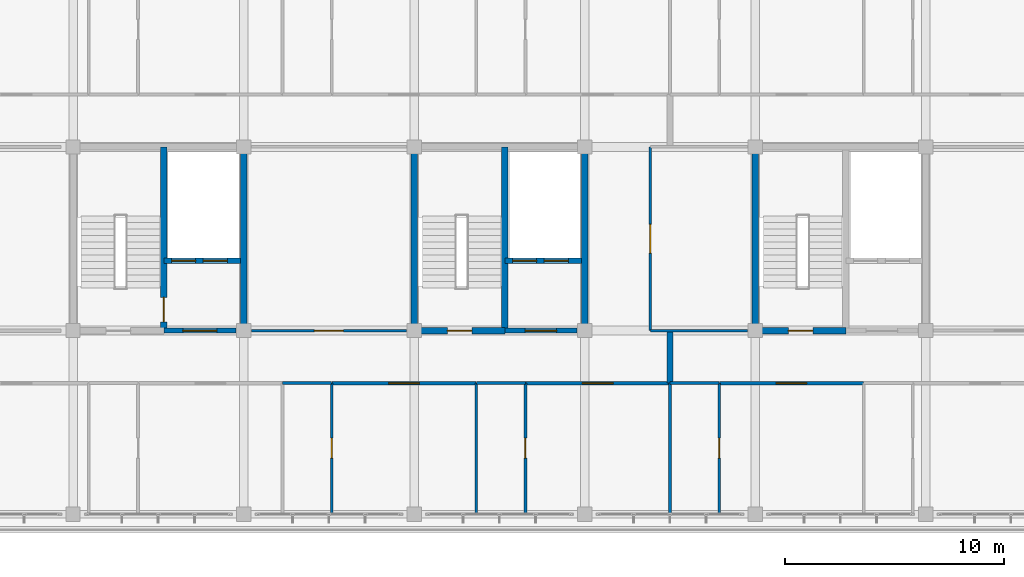
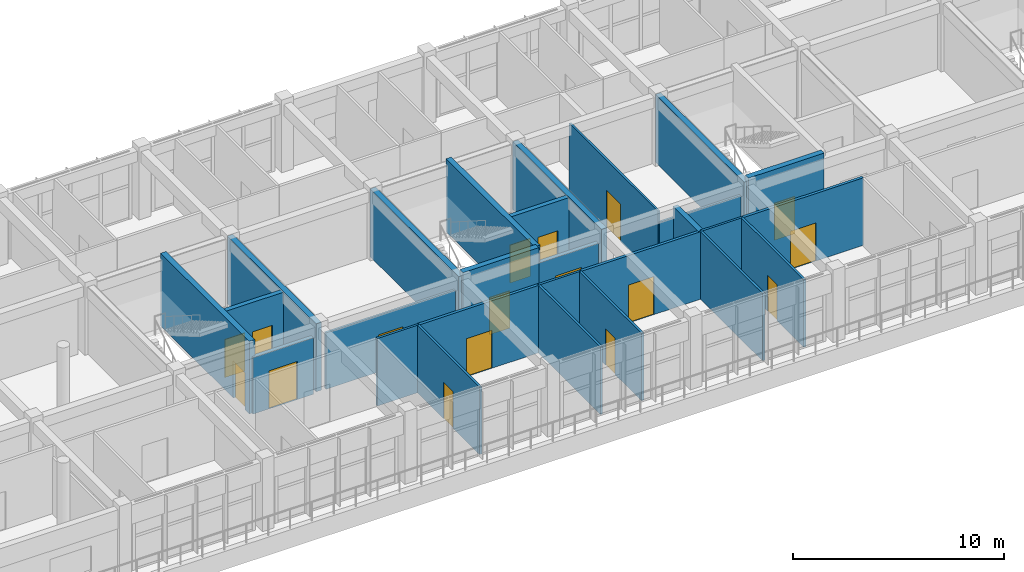
# One storey, part 48 of 57: 27 walls, 17 doors, 17 openings.
"""IFC4 building model written with IfcOpenShell, lengths in metres."""

import ifcopenshell
import ifcopenshell.guid

model = None  # the IFC model being written
_history = None  # IfcOwnerHistory: only IFC2X3 demands one
_inside = {}  # id of a spatial element -> (the spatial element, [elements in it])
_under = {}  # id of a project, library or spatial element -> (it, [spatial elements below it])
_declared = {}  # id of a project -> (the project, [libraries it declares])
_typed = {}  # id of a type object -> (the type object, [elements of that type])
_made_of = {}  # id of a material, layer set ... -> (it, [elements and type objects made of it])


def new_model(schema):
    """Start an empty IFC model of exactly this schema.

    Asked for "IFC4X3", IfcOpenShell would pick the latest addendum, in which some entities
    have other attributes; the version numbers below select the first issue.
    IFC2X3 requires an IfcOwnerHistory on every rooted entity: one is made here for all.
    """
    global model, _history
    if schema == "IFC4X3":
        model = ifcopenshell.file(schema_version=(4, 3, 0, 0))
    else:
        model = ifcopenshell.file(schema=schema)
    _inside.clear()
    _under.clear()
    _declared.clear()
    _typed.clear()
    _made_of.clear()
    _history = None
    if model.schema == "IFC2X3":
        org = make("IfcOrganization", Name="unknown")
        user = make(
            "IfcPersonAndOrganization",
            ThePerson=make("IfcPerson", FamilyName="unknown"),
            TheOrganization=org,
        )
        app = make(
            "IfcApplication",
            ApplicationDeveloper=org,
            Version="unknown",
            ApplicationFullName="unknown",
            ApplicationIdentifier="unknown",
        )
        _history = make(
            "IfcOwnerHistory",
            OwningUser=user,
            OwningApplication=app,
            ChangeAction="ADDED",
            CreationDate=0,
        )
    return model


def make(cls, **values):
    """One entity of the class cls with the attributes given. An attribute that is None is left unset."""
    return model.create_entity(
        cls, **{name: value for name, value in values.items() if value is not None}
    )


def rooted(cls, **values):
    """An entity with a GlobalId (a new one), such as an element, a storey or a relation."""
    return make(cls, GlobalId=ifcopenshell.guid.new(), OwnerHistory=_history, **values)


def si_unit(unit_type, name, prefix=None):
    """IfcSIUnit, for example si_unit("LENGTHUNIT", "METRE", prefix="MILLI")."""
    return make("IfcSIUnit", UnitType=unit_type, Prefix=prefix, Name=name)


def assignment(units):
    """IfcUnitAssignment: the units of a project."""
    return None if units is None else make("IfcUnitAssignment", Units=units)


def point(xyz):
    """IfcCartesianPoint."""
    return None if xyz is None else make("IfcCartesianPoint", Coordinates=xyz)


def direction(xyz):
    """IfcDirection."""
    return None if xyz is None else make("IfcDirection", DirectionRatios=xyz)


def frame(location, z_axis=None, x_axis=None):
    """IfcAxis2Placement3D, a coordinate frame: its origin and axes. An axis left out is left unset."""
    return make(
        "IfcAxis2Placement3D",
        Location=point(location),
        Axis=direction(z_axis),
        RefDirection=direction(x_axis),
    )


def frame_2d(location, x_axis=None):
    """IfcAxis2Placement2D, a coordinate frame in the plane: its origin and x axis."""
    return make(
        "IfcAxis2Placement2D", Location=point(location), RefDirection=direction(x_axis)
    )


def origin():
    """The frame at (0, 0, 0) with its axes left unset."""
    return frame((0.0, 0.0, 0.0))


def place(relative_to, where):
    """IfcLocalPlacement: puts the frame where relative to a parent placement (None: the world)."""
    return make(
        "IfcLocalPlacement", PlacementRelTo=relative_to, RelativePlacement=where
    )


def context(
    kind, dimensions, precision=None, world=None, true_north=None, identifier=None
):
    """IfcGeometricRepresentationContext, for example the 3D "Model" context."""
    return make(
        "IfcGeometricRepresentationContext",
        ContextIdentifier=identifier,
        ContextType=kind,
        CoordinateSpaceDimension=dimensions,
        Precision=precision,
        WorldCoordinateSystem=world,
        TrueNorth=true_north,
    )


def subcontext(parent, identifier, kind, view, scale=None):
    """IfcGeometricRepresentationSubContext, for example "Body" below "Model"."""
    return make(
        "IfcGeometricRepresentationSubContext",
        ContextIdentifier=identifier,
        ContextType=kind,
        ParentContext=parent,
        TargetScale=scale,
        TargetView=view,
    )


def project(units=None, contexts=None):
    """IfcProject with its units and contexts."""
    return rooted(
        "IfcProject",
        Name="project",
        RepresentationContexts=contexts,
        UnitsInContext=assignment(units),
    )


def spatial(cls, under=None, at=None, **own):
    """A site, building, storey or space (cls), placed at a placement, below another one or the project."""
    s = rooted(cls, ObjectPlacement=at, **own)
    if under is not None:
        _under.setdefault(under.id(), (under, []))[1].append(s)
    return s


def profile(cls, at=None, kind="AREA", **sizes):
    """A parametric profile (cls). Its sizes go by their IFC names, for example OverallWidth=200.0."""
    return make(cls, ProfileType=kind, Position=at, **sizes)


def rectangle(**sizes):
    """IfcRectangleProfileDef."""
    return profile("IfcRectangleProfileDef", **sizes)


def extrude(swept, where, along, depth):
    """IfcExtrudedAreaSolid: the profile swept, set in the frame where, extruded along a direction by depth."""
    return make(
        "IfcExtrudedAreaSolid",
        SweptArea=swept,
        Position=where,
        ExtrudedDirection=direction(along),
        Depth=depth,
    )


def shape(context_of_items, identifier, shape_type, items):
    """IfcShapeRepresentation: the items that make up one representation, for example the "Body"."""
    return make(
        "IfcShapeRepresentation",
        ContextOfItems=context_of_items,
        RepresentationIdentifier=identifier,
        RepresentationType=shape_type,
        Items=items,
    )


def material(Name=None, Category=None):
    """IfcMaterial."""
    return make("IfcMaterial", Name=Name, Category=Category)


def layer(
    of_material, thickness, ventilated=None, Name=None, Category=None, Priority=None
):
    """IfcMaterialLayer: one layer of a wall or slab, of a material (None: an air gap)."""
    return make(
        "IfcMaterialLayer",
        Material=of_material,
        LayerThickness=thickness,
        IsVentilated=ventilated,
        Name=Name,
        Category=Category,
        Priority=Priority,
    )


def layer_set(layers, Name=None):
    """IfcMaterialLayerSet."""
    return make("IfcMaterialLayerSet", MaterialLayers=layers, LayerSetName=Name)


def made_of(thing, what):
    """Note that an element or type object is made of a material, layer set ...; save() writes the relation."""
    if what is not None:
        _made_of.setdefault(what.id(), (what, []))[1].append(thing)
    return thing


def type_object(cls, material=None, **own):
    """A type object (cls), such as IfcWallType, which elements share."""
    return made_of(rooted(cls, **own), material)


def element(
    cls,
    number,
    at=None,
    inside=None,
    cuts=None,
    type_object=None,
    material=None,
    context=None,
    identifier="Body",
    shape_type=None,
    held_by="IfcProductDefinitionShape",
    body=None,
    shapes=None,
    **own,
):
    """One element of the class cls, such as IfcWall. Its Tag is "e" and its number.

    at: its placement. inside: the storey or other place that contains it. cuts: it is an
    opening in that element (IfcRelVoidsElement). A single representation is given by context,
    identifier, shape_type and body (its items); several are given by shapes. held_by: the class
    of the entity that holds the representations. save() writes the other relations.
    """
    e = rooted(cls, Tag="e%d" % number, ObjectPlacement=at, **own)
    if body is not None:
        shapes = [shape(context, identifier, shape_type, body)]
    if shapes is not None:
        e.Representation = make(held_by, Representations=shapes)
    if inside is not None:
        _inside.setdefault(inside.id(), (inside, []))[1].append(e)
    if cuts is not None:
        rooted(
            "IfcRelVoidsElement", RelatingBuildingElement=cuts, RelatedOpeningElement=e
        )
    if type_object is not None:
        _typed.setdefault(type_object.id(), (type_object, []))[1].append(e)
    return made_of(e, material)


def fill(opening, filler):
    """IfcRelFillsElement: the door or window that sits in an opening."""
    return rooted(
        "IfcRelFillsElement",
        RelatingOpeningElement=opening,
        RelatedBuildingElement=filler,
    )


def aggregate(whole, parts):
    """IfcRelAggregates: a whole, such as a stair, and the parts it consists of."""
    return rooted("IfcRelAggregates", RelatingObject=whole, RelatedObjects=parts)


def save(model, path):
    """Write the relations noted so far, then the file.

    IfcRelAggregates (storeys below a building ...), IfcRelContainedInSpatialStructure (elements
    in a storey), IfcRelDefinesByType, IfcRelAssociatesMaterial and IfcRelDeclares: one each for
    every whole, place, type object, material and project.
    """
    for whole, parts in _under.values():
        aggregate(whole, parts)
    for where, things in _inside.values():
        rooted(
            "IfcRelContainedInSpatialStructure",
            RelatedElements=things,
            RelatingStructure=where,
        )
    for kind, things in _typed.values():
        rooted("IfcRelDefinesByType", RelatedObjects=things, RelatingType=kind)
    for what, things in _made_of.values():
        rooted("IfcRelAssociatesMaterial", RelatedObjects=things, RelatingMaterial=what)
    for by, libraries in _declared.values():
        rooted("IfcRelDeclares", RelatingContext=by, RelatedDefinitions=libraries)
    model.write(path)


model = new_model("IFC4")

# Units and contexts
model_context = context("Model", 3, precision=1e-05, world=origin(), true_north=direction((0.0, 1.0)))
body_context = subcontext(model_context, "Body", "Model", "MODEL_VIEW")
ifc_project = project(units=[si_unit("LENGTHUNIT", "METRE"), si_unit("AREAUNIT", "SQUARE_METRE"), si_unit("VOLUMEUNIT", "CUBIC_METRE"), si_unit("PLANEANGLEUNIT", "RADIAN"), si_unit("MASSUNIT", "GRAM", prefix="KILO")], contexts=[model_context])

# Site, building, storey
site_placement = place(None, origin())
site = spatial("IfcSite", under=ifc_project, at=site_placement, CompositionType="ELEMENT")
building_placement = place(site_placement, origin())
building = spatial("IfcBuilding", under=site, at=building_placement, Name="Zizhar Promenade General Hospital", CompositionType="ELEMENT")
storey_placement = place(building_placement, frame((0.0, 0.0, 22.199951171875)))
storey = spatial("IfcBuildingStorey", under=building, at=storey_placement, Name="L05", CompositionType="ELEMENT", Elevation=22.199951171875)

# Wall
ifc_material_1 = material(Name="Concrete C35/45", Category="concrete")
ifc_layer_1 = layer(ifc_material_1, 0.284912109375)
ifc_layer_set_1 = layer_set([ifc_layer_1], Name="Concrete C35/45")
wall_type_1 = type_object("IfcWallType", Name="IW-COMP-285", PredefinedType="STANDARD", material=ifc_layer_set_1)
wall_1_placement = place(storey_placement, frame((74.10009765625, 6.0, 0.0), z_axis=(0.0, 0.0, 1.0), x_axis=(0.0, 1.0, 0.0)))
element("IfcWall", 1, at=wall_1_placement, inside=storey, type_object=wall_type_1, Name="Horizontal Fire Compartment Wall South (L05)", PredefinedType="STANDARD", context=body_context, shape_type="SweptSolid", body=[
    extrude(rectangle(XDim=2.39990234375, YDim=0.284912109375, at=frame_2d((1.199951171875, 0.0))), origin(), (0.0, 0.0, 1.0), 3.900146484375),
])

# Wall, opening, door
ifc_material_2 = material(Name="Concrete C35/45", Category="concrete")
ifc_layer_2 = layer(ifc_material_2, 0.215087890625)
ifc_layer_set_2 = layer_set([ifc_layer_2], Name="Concrete C35/45")
wall_type_2 = type_object("IfcWallType", Name="IW-LOBBY-215", PredefinedType="STANDARD", material=ifc_layer_set_2)
wall_2_placement = place(storey_placement, frame((50.949951171875, 8.39990234375, 0.0), z_axis=(0.0, 0.0, 1.0), x_axis=(1.0, 0.0, 0.0)))
wall_2 = element("IfcWall", 2, at=wall_2_placement, inside=storey, type_object=wall_type_2, Name="Core C2 Lift Lobby South Fire Wall (L05)", PredefinedType="STANDARD", context=body_context, shape_type="SweptSolid", body=[
    extrude(rectangle(XDim=3.2900390625, YDim=0.215087890625, at=frame_2d((1.64501953125, 0.0))), origin(), (0.0, 0.0, 1.0), 3.27001953125),
])
opening_1_placement = place(wall_2_placement, frame((0.864990234375, 0.0, 0.0)))
opening_1 = element("IfcOpeningElement", 3, at=opening_1_placement, cuts=wall_2, Name="Opening D-22", PredefinedType="OPENING", context=body_context, shape_type="SweptSolid", body=[
    extrude(rectangle(XDim=1.56005859375, YDim=2.199951171875, at=frame_2d((0.780029296875, 1.10009765625))), frame((0.0, 0.11767578125, 0.0), z_axis=(0.0, -1.0, 0.0), x_axis=(1.0, 0.0, 0.0)), (0.0, 0.0, 1.0), 0.235107421875),
])
ifc_material_3 = material(Name="Steel S355 firefighting lobby pair", Category="steel")
door_type_1 = type_object("IfcDoorType", Name="DR-LOBBY-FF-156x220", OperationType="DOUBLE_DOOR_SINGLE_SWING", PredefinedType="DOOR", material=ifc_material_3)
door_1_placement = place(opening_1_placement, origin())
door_1 = element("IfcDoor", 4, at=door_1_placement, inside=storey, type_object=door_type_1, Name="Core C2 Firefighting Lift Lobby Door (L05)", OperationType="DOUBLE_DOOR_SINGLE_SWING", OverallHeight=2.199951171875, OverallWidth=1.56005859375, PredefinedType="DOOR", context=body_context, shape_type="SweptSolid", body=[
    extrude(rectangle(XDim=1.56005859375, YDim=2.199951171875, at=frame_2d((0.780029296875, 1.10009765625))), frame((0.0, 0.02490234375, 0.0), z_axis=(0.0, -1.0, 0.0), x_axis=(1.0, 0.0, 0.0)), (0.0, 0.0, 1.0), 0.050048828125),
])
fill(opening_1, door_1)

wall_3_placement = place(storey_placement, frame((66.550048828125, 8.39990234375, 0.0), z_axis=(0.0, 0.0, 1.0), x_axis=(1.0, 0.0, 0.0)))
wall_3 = element("IfcWall", 5, at=wall_3_placement, inside=storey, type_object=wall_type_2, Name="Core C3 Lift Lobby South Fire Wall (L05)", PredefinedType="STANDARD", context=body_context, shape_type="SweptSolid", body=[
    extrude(rectangle(XDim=3.2900390625, YDim=0.215087890625, at=frame_2d((1.64501953125, 0.0))), origin(), (0.0, 0.0, 1.0), 3.27001953125),
])
opening_2_placement = place(wall_3_placement, frame((0.925048828125, 0.0, 0.0)))
opening_2 = element("IfcOpeningElement", 6, at=opening_2_placement, cuts=wall_3, Name="Opening D-23", PredefinedType="OPENING", context=body_context, shape_type="SweptSolid", body=[
    extrude(rectangle(XDim=1.43994140625, YDim=2.199951171875, at=frame_2d((0.719970703125, 1.10009765625))), frame((0.0, 0.11767578125, 0.0), z_axis=(0.0, -1.0, 0.0), x_axis=(1.0, 0.0, 0.0)), (0.0, 0.0, 1.0), 0.235107421875),
])
ifc_material_4 = material(Name="Fire-rated timber lift lobby pair", Category="wood")
door_type_2 = type_object("IfcDoorType", Name="DR-LOBBY-PR-144x220", OperationType="DOUBLE_DOOR_SINGLE_SWING", PredefinedType="DOOR", material=ifc_material_4)
door_2_placement = place(opening_2_placement, origin())
door_2 = element("IfcDoor", 7, at=door_2_placement, inside=storey, type_object=door_type_2, Name="Core C3 Protected Lift Lobby Door (L05)", OperationType="DOUBLE_DOOR_SINGLE_SWING", OverallHeight=2.199951171875, OverallWidth=1.43994140625, PredefinedType="DOOR", context=body_context, shape_type="SweptSolid", body=[
    extrude(rectangle(XDim=1.43994140625, YDim=2.199951171875, at=frame_2d((0.719970703125, 1.10009765625))), frame((0.0, 0.02490234375, 0.0), z_axis=(0.0, -1.0, 0.0), x_axis=(1.0, 0.0, 0.0)), (0.0, 0.0, 1.0), 0.050048828125),
])
fill(opening_2, door_2)

# Wall, openings, doors
ifc_material_5 = material(Name="Concrete C35/45", Category="concrete")
ifc_layer_3 = layer(ifc_material_5, 0.25)
ifc_layer_set_3 = layer_set([ifc_layer_3], Name="Concrete C35/45")
wall_type_3 = type_object("IfcWallType", Name="IW-SHAFT-250", PredefinedType="STANDARD", material=ifc_layer_set_3)
wall_4_placement = place(storey_placement, frame((50.949951171875, 11.60009765625, 0.0), z_axis=(0.0, 0.0, 1.0), x_axis=(1.0, 0.0, 0.0)))
wall_4 = element("IfcWall", 8, at=wall_4_placement, inside=storey, type_object=wall_type_3, Name="Core C2 Lift Shaft Landing Wall (L05)", PredefinedType="STANDARD", context=body_context, shape_type="SweptSolid", body=[
    extrude(rectangle(XDim=3.5, YDim=0.25, at=frame_2d((1.75, 0.0))), origin(), (0.0, 0.0, 1.0), 3.900146484375),
])
opening_3_placement = place(wall_4_placement, frame((0.35009765625, 0.0, 0.0)))
opening_3 = element("IfcOpeningElement", 9, at=opening_3_placement, cuts=wall_4, Name="Opening LD-11", PredefinedType="OPENING", context=body_context, shape_type="SweptSolid", body=[
    extrude(rectangle(XDim=1.10009765625, YDim=2.199951171875, at=frame_2d((0.550048828125, 1.10009765625))), frame((0.0, 0.135009765625, 0.0), z_axis=(0.0, -1.0, 0.0), x_axis=(1.0, 0.0, 0.0)), (0.0, 0.0, 1.0), 0.27001953125),
])
opening_4_placement = place(wall_4_placement, frame((1.800048828125, 0.0, 0.0)))
opening_4 = element("IfcOpeningElement", 10, at=opening_4_placement, cuts=wall_4, Name="Opening LD-11", PredefinedType="OPENING", context=body_context, shape_type="SweptSolid", body=[
    extrude(rectangle(XDim=1.10009765625, YDim=2.199951171875, at=frame_2d((0.550048828125, 1.10009765625))), frame((0.0, 0.135009765625, 0.0), z_axis=(0.0, -1.0, 0.0), x_axis=(1.0, 0.0, 0.0)), (0.0, 0.0, 1.0), 0.27001953125),
])
ifc_material_6 = material(Name="Stainless Steel S355 passenger lift landing door", Category="steel")
door_type_3 = type_object("IfcDoorType", Name="DR-LIFT-LD11", OperationType="SLIDING_TO_LEFT", PredefinedType="DOOR", material=ifc_material_6)
door_3_placement = place(opening_3_placement, origin())
door_3 = element("IfcDoor", 11, at=door_3_placement, inside=storey, type_object=door_type_3, Name="Lift LF-01 Sliding Landing Door (L05)", OperationType="SLIDING_TO_LEFT", OverallHeight=2.199951171875, OverallWidth=1.10009765625, PredefinedType="DOOR", context=body_context, shape_type="SweptSolid", body=[
    extrude(rectangle(XDim=1.10009765625, YDim=2.199951171875, at=frame_2d((0.550048828125, 1.10009765625))), frame((0.0, 0.02490234375, 0.0), z_axis=(0.0, -1.0, 0.0), x_axis=(1.0, 0.0, 0.0)), (0.0, 0.0, 1.0), 0.050048828125),
])
fill(opening_3, door_3)
door_4_placement = place(opening_4_placement, origin())
door_4 = element("IfcDoor", 12, at=door_4_placement, inside=storey, type_object=door_type_3, Name="Lift LB-01 Sliding Landing Door (L05)", OperationType="SLIDING_TO_LEFT", OverallHeight=2.199951171875, OverallWidth=1.10009765625, PredefinedType="DOOR", context=body_context, shape_type="SweptSolid", body=[
    extrude(rectangle(XDim=1.10009765625, YDim=2.199951171875, at=frame_2d((0.550048828125, 1.10009765625))), frame((0.0, 0.02490234375, 0.0), z_axis=(0.0, -1.0, 0.0), x_axis=(1.0, 0.0, 0.0)), (0.0, 0.0, 1.0), 0.050048828125),
])
fill(opening_4, door_4)

wall_5_placement = place(storey_placement, frame((66.550048828125, 11.60009765625, 0.0), z_axis=(0.0, 0.0, 1.0), x_axis=(1.0, 0.0, 0.0)))
wall_5 = element("IfcWall", 13, at=wall_5_placement, inside=storey, type_object=wall_type_3, Name="Core C3 Lift Shaft Landing Wall (L05)", PredefinedType="STANDARD", context=body_context, shape_type="SweptSolid", body=[
    extrude(rectangle(XDim=3.5, YDim=0.25, at=frame_2d((1.75, 0.0))), origin(), (0.0, 0.0, 1.0), 3.900146484375),
])
opening_5_placement = place(wall_5_placement, frame((0.35009765625, 0.0, 0.0)))
opening_5 = element("IfcOpeningElement", 14, at=opening_5_placement, cuts=wall_5, Name="Opening LD-11", PredefinedType="OPENING", context=body_context, shape_type="SweptSolid", body=[
    extrude(rectangle(XDim=1.10009765625, YDim=2.199951171875, at=frame_2d((0.550048828125, 1.10009765625))), frame((0.0, 0.135009765625, 0.0), z_axis=(0.0, -1.0, 0.0), x_axis=(1.0, 0.0, 0.0)), (0.0, 0.0, 1.0), 0.27001953125),
])
opening_6_placement = place(wall_5_placement, frame((1.800048828125, 0.0, 0.0)))
opening_6 = element("IfcOpeningElement", 15, at=opening_6_placement, cuts=wall_5, Name="Opening LD-11", PredefinedType="OPENING", context=body_context, shape_type="SweptSolid", body=[
    extrude(rectangle(XDim=1.10009765625, YDim=2.199951171875, at=frame_2d((0.550048828125, 1.10009765625))), frame((0.0, 0.135009765625, 0.0), z_axis=(0.0, -1.0, 0.0), x_axis=(1.0, 0.0, 0.0)), (0.0, 0.0, 1.0), 0.27001953125),
])
door_5_placement = place(opening_5_placement, origin())
door_5 = element("IfcDoor", 16, at=door_5_placement, inside=storey, type_object=door_type_3, Name="Lift LB-02 Sliding Landing Door (L05)", OperationType="SLIDING_TO_LEFT", OverallHeight=2.199951171875, OverallWidth=1.10009765625, PredefinedType="DOOR", context=body_context, shape_type="SweptSolid", body=[
    extrude(rectangle(XDim=1.10009765625, YDim=2.199951171875, at=frame_2d((0.550048828125, 1.10009765625))), frame((0.0, 0.02490234375, 0.0), z_axis=(0.0, -1.0, 0.0), x_axis=(1.0, 0.0, 0.0)), (0.0, 0.0, 1.0), 0.050048828125),
])
fill(opening_5, door_5)
door_6_placement = place(opening_6_placement, origin())
door_6 = element("IfcDoor", 17, at=door_6_placement, inside=storey, type_object=door_type_3, Name="Lift LP-02 Sliding Landing Door (L05)", OperationType="SLIDING_TO_LEFT", OverallHeight=2.199951171875, OverallWidth=1.10009765625, PredefinedType="DOOR", context=body_context, shape_type="SweptSolid", body=[
    extrude(rectangle(XDim=1.10009765625, YDim=2.199951171875, at=frame_2d((0.550048828125, 1.10009765625))), frame((0.0, 0.02490234375, 0.0), z_axis=(0.0, -1.0, 0.0), x_axis=(1.0, 0.0, 0.0)), (0.0, 0.0, 1.0), 0.050048828125),
])
fill(opening_6, door_6)

# Wall, opening, door
ifc_material_7 = material(Name="Clean utility gypsum partition")
ifc_layer_4 = layer(ifc_material_7, 0.114990234375)
ifc_layer_set_4 = layer_set([ifc_layer_4], Name="Clean utility gypsum partition")
wall_type_4 = type_object("IfcWallType", Name="IW-STR-115", PredefinedType="PARTITIONING", material=ifc_layer_set_4)
wall_6_placement = place(storey_placement, frame((54.9599609375, 8.39990234375, 0.0), z_axis=(0.0, 0.0, 1.0), x_axis=(1.0, 0.0, 0.0)))
wall_6 = element("IfcWall", 18, at=wall_6_placement, inside=storey, type_object=wall_type_4, Name="Nurse Station and Medication Room L05 S Partition", PredefinedType="PARTITIONING", context=body_context, shape_type="SweptSolid", body=[
    extrude(rectangle(XDim=7.080078125, YDim=0.114990234375, at=frame_2d((3.5400390625, 0.0))), origin(), (0.0, 0.0, 1.0), 3.27001953125),
])
opening_7_placement = place(wall_6_placement, frame((2.8798828125, 0.0, 0.0)))
opening_7 = element("IfcOpeningElement", 19, at=opening_7_placement, cuts=wall_6, Name="Opening D-26", PredefinedType="OPENING", context=body_context, shape_type="SweptSolid", body=[
    extrude(rectangle(XDim=1.320068359375, YDim=2.14990234375, at=frame_2d((0.66015625, 1.074951171875))), frame((0.0, 0.0673828125, 0.0), z_axis=(0.0, -1.0, 0.0), x_axis=(1.0, 0.0, 0.0)), (0.0, 0.0, 1.0), 0.135009765625),
])
ifc_material_8 = material(Name="Fire-rated timber store leaf", Category="wood")
door_type_4 = type_object("IfcDoorType", Name="DR-STORE-132x215", OperationType="NOTDEFINED", PredefinedType="DOOR", material=ifc_material_8)
door_7_placement = place(opening_7_placement, origin())
door_7 = element("IfcDoor", 20, at=door_7_placement, inside=storey, type_object=door_type_4, Name="Nurse Station and Medication Room L05 Door", OperationType="SINGLE_SWING_RIGHT", OverallHeight=2.14990234375, OverallWidth=1.320068359375, PredefinedType="DOOR", context=body_context, shape_type="SweptSolid", body=[
    extrude(rectangle(XDim=1.320068359375, YDim=2.14990234375, at=frame_2d((0.66015625, 1.074951171875))), frame((0.0, 0.02490234375, 0.0), z_axis=(0.0, -1.0, 0.0), x_axis=(1.0, 0.0, 0.0)), (0.0, 0.0, 1.0), 0.050048828125),
])
fill(opening_7, door_7)

# Wall
wall_7_placement = place(storey_placement, frame((73.199951171875, 8.39990234375, 0.0), z_axis=(0.0, 0.0, 1.0), x_axis=(1.0, 0.0, 0.0)))
element("IfcWall", 21, at=wall_7_placement, inside=storey, type_object=wall_type_4, Name="Echocardiography Procedure Room S Partition", PredefinedType="PARTITIONING", context=body_context, shape_type="SweptSolid", body=[
    extrude(rectangle(XDim=4.43994140625, YDim=0.114990234375, at=frame_2d((2.219970703125, 0.0))), origin(), (0.0, 0.0, 1.0), 3.27001953125),
])

# Wall, opening, door
wall_8_placement = place(storey_placement, frame((73.199951171875, 8.39990234375, 0.0), z_axis=(0.0, 0.0, 1.0), x_axis=(0.0, 1.0, 0.0)))
wall_8 = element("IfcWall", 22, at=wall_8_placement, inside=storey, type_object=wall_type_4, Name="Echocardiography Procedure Room W Partition", PredefinedType="PARTITIONING", context=body_context, shape_type="SweptSolid", body=[
    extrude(rectangle(XDim=8.400146484375, YDim=0.114990234375, at=frame_2d((4.2001953125, 0.0))), origin(), (0.0, 0.0, 1.0), 3.900146484375),
])
opening_8_placement = place(wall_8_placement, frame((3.5400390625, 0.0, 0.0)))
opening_8 = element("IfcOpeningElement", 23, at=opening_8_placement, cuts=wall_8, Name="Opening D-26", PredefinedType="OPENING", context=body_context, shape_type="SweptSolid", body=[
    extrude(rectangle(XDim=1.320068359375, YDim=2.14990234375, at=frame_2d((0.66015625, 1.074951171875))), frame((0.0, 0.0673828125, 0.0), z_axis=(0.0, -1.0, 0.0), x_axis=(1.0, 0.0, 0.0)), (0.0, 0.0, 1.0), 0.135009765625),
])
door_8_placement = place(opening_8_placement, origin())
door_8 = element("IfcDoor", 24, at=door_8_placement, inside=storey, type_object=door_type_4, Name="Echocardiography Procedure Room Door", OperationType="SINGLE_SWING_LEFT", OverallHeight=2.14990234375, OverallWidth=1.320068359375, PredefinedType="DOOR", context=body_context, shape_type="SweptSolid", body=[
    extrude(rectangle(XDim=1.320068359375, YDim=2.14990234375, at=frame_2d((0.66015625, 1.074951171875))), frame((0.0, 0.02490234375, 0.0), z_axis=(0.0, -1.0, 0.0), x_axis=(1.0, 0.0, 0.0)), (0.0, 0.0, 1.0), 0.050048828125),
])
fill(opening_8, door_8)

ifc_material_9 = material(Name="Acoustic patient bedroom partition")
ifc_layer_5 = layer(ifc_material_9, 0.155029296875)
ifc_layer_set_5 = layer_set([ifc_layer_5], Name="Acoustic patient bedroom partition")
wall_type_5 = type_object("IfcWallType", Name="IW-WARD-155", PredefinedType="PARTITIONING", material=ifc_layer_set_5)
wall_9_placement = place(storey_placement, frame((58.639892578125, 6.0, 0.0), z_axis=(0.0, 0.0, 1.0), x_axis=(1.0, 0.0, 0.0)))
wall_9 = element("IfcWall", 25, at=wall_9_placement, inside=storey, type_object=wall_type_5, Name="Vascular Inpatient Ward L05-S04 N Partition", PredefinedType="PARTITIONING", context=body_context, shape_type="SweptSolid", body=[
    extrude(rectangle(XDim=6.590087890625, YDim=0.155029296875, at=frame_2d((3.294921875, 0.0))), origin(), (0.0, 0.0, 1.0), 3.900146484375),
])
opening_9_placement = place(wall_9_placement, frame((2.594970703125, 0.0, 0.0)))
opening_9 = element("IfcOpeningElement", 26, at=opening_9_placement, cuts=wall_9, Name="Opening D-06", PredefinedType="OPENING", context=body_context, shape_type="SweptSolid", body=[
    extrude(rectangle(XDim=1.39990234375, YDim=2.199951171875, at=frame_2d((0.699951171875, 1.10009765625))), frame((0.0, 0.08740234375, 0.0), z_axis=(0.0, -1.0, 0.0), x_axis=(1.0, 0.0, 0.0)), (0.0, 0.0, 1.0), 0.175048828125),
])
ifc_material_10 = material(Name="Fire-rated timber hospital bed leaf", Category="wood")
door_type_5 = type_object("IfcDoorType", Name="DR-BED-WARD-140x220", OperationType="NOTDEFINED", PredefinedType="DOOR", material=ifc_material_10)
door_9_placement = place(opening_9_placement, origin())
door_9 = element("IfcDoor", 27, at=door_9_placement, inside=storey, type_object=door_type_5, Name="Vascular Inpatient Ward L05-S04 Door", OperationType="SINGLE_SWING_RIGHT", OverallHeight=2.199951171875, OverallWidth=1.39990234375, PredefinedType="DOOR", context=body_context, shape_type="SweptSolid", body=[
    extrude(rectangle(XDim=1.39990234375, YDim=2.199951171875, at=frame_2d((0.699951171875, 1.10009765625))), frame((0.0, 0.02490234375, 0.0), z_axis=(0.0, -1.0, 0.0), x_axis=(1.0, 0.0, 0.0)), (0.0, 0.0, 1.0), 0.050048828125),
])
fill(opening_9, door_9)

wall_10_placement = place(storey_placement, frame((67.5, 6.0, 0.0), z_axis=(0.0, 0.0, 1.0), x_axis=(1.0, 0.0, 0.0)))
wall_10 = element("IfcWall", 28, at=wall_10_placement, inside=storey, type_object=wall_type_5, Name="Cardiology Inpatient Ward L05-S05 N Partition", PredefinedType="PARTITIONING", context=body_context, shape_type="SweptSolid", body=[
    extrude(rectangle(XDim=6.590087890625, YDim=0.155029296875, at=frame_2d((3.294921875, 0.0))), origin(), (0.0, 0.0, 1.0), 3.900146484375),
])
opening_10_placement = place(wall_10_placement, frame((2.594970703125, 0.0, 0.0)))
opening_10 = element("IfcOpeningElement", 29, at=opening_10_placement, cuts=wall_10, Name="Opening D-06", PredefinedType="OPENING", context=body_context, shape_type="SweptSolid", body=[
    extrude(rectangle(XDim=1.39990234375, YDim=2.199951171875, at=frame_2d((0.699951171875, 1.10009765625))), frame((0.0, 0.08740234375, 0.0), z_axis=(0.0, -1.0, 0.0), x_axis=(1.0, 0.0, 0.0)), (0.0, 0.0, 1.0), 0.175048828125),
])
door_10_placement = place(opening_10_placement, origin())
door_10 = element("IfcDoor", 30, at=door_10_placement, inside=storey, type_object=door_type_5, Name="Cardiology Inpatient Ward L05-S05 Door", OperationType="SINGLE_SWING_RIGHT", OverallHeight=2.199951171875, OverallWidth=1.39990234375, PredefinedType="DOOR", context=body_context, shape_type="SweptSolid", body=[
    extrude(rectangle(XDim=1.39990234375, YDim=2.199951171875, at=frame_2d((0.699951171875, 1.10009765625))), frame((0.0, 0.02490234375, 0.0), z_axis=(0.0, -1.0, 0.0), x_axis=(1.0, 0.0, 0.0)), (0.0, 0.0, 1.0), 0.050048828125),
])
fill(opening_10, door_10)

wall_11_placement = place(storey_placement, frame((76.360107421875, 6.0, 0.0), z_axis=(0.0, 0.0, 1.0), x_axis=(1.0, 0.0, 0.0)))
wall_11 = element("IfcWall", 31, at=wall_11_placement, inside=storey, type_object=wall_type_5, Name="Vascular Inpatient Ward L05-S06 N Partition", PredefinedType="PARTITIONING", context=body_context, shape_type="SweptSolid", body=[
    extrude(rectangle(XDim=6.58984375, YDim=0.155029296875, at=frame_2d((3.294921875, 0.0))), origin(), (0.0, 0.0, 1.0), 3.900146484375),
])
opening_11_placement = place(wall_11_placement, frame((2.594970703125, 0.0, 0.0)))
opening_11 = element("IfcOpeningElement", 32, at=opening_11_placement, cuts=wall_11, Name="Opening D-06", PredefinedType="OPENING", context=body_context, shape_type="SweptSolid", body=[
    extrude(rectangle(XDim=1.39990234375, YDim=2.199951171875, at=frame_2d((0.699951171875, 1.10009765625))), frame((0.0, 0.08740234375, 0.0), z_axis=(0.0, -1.0, 0.0), x_axis=(1.0, 0.0, 0.0)), (0.0, 0.0, 1.0), 0.175048828125),
])
door_11_placement = place(opening_11_placement, origin())
door_11 = element("IfcDoor", 33, at=door_11_placement, inside=storey, type_object=door_type_5, Name="Vascular Inpatient Ward L05-S06 Door", OperationType="SINGLE_SWING_RIGHT", OverallHeight=2.199951171875, OverallWidth=1.39990234375, PredefinedType="DOOR", context=body_context, shape_type="SweptSolid", body=[
    extrude(rectangle(XDim=1.39990234375, YDim=2.199951171875, at=frame_2d((0.699951171875, 1.10009765625))), frame((0.0, 0.02490234375, 0.0), z_axis=(0.0, -1.0, 0.0), x_axis=(1.0, 0.0, 0.0)), (0.0, 0.0, 1.0), 0.050048828125),
])
fill(opening_11, door_11)

# Wall
ifc_material_11 = material(Name="Moisture-resistant en-suite wet partition")
ifc_layer_6 = layer(ifc_material_11, 0.125)
ifc_layer_set_6 = layer_set([ifc_layer_6], Name="Moisture-resistant en-suite wet partition")
wall_type_6 = type_object("IfcWallType", Name="IW-WET-125", PredefinedType="PARTITIONING", material=ifc_layer_set_6)
wall_12_placement = place(storey_placement, frame((56.3798828125, 6.0, 0.0), z_axis=(0.0, 0.0, 1.0), x_axis=(1.0, 0.0, 0.0)))
element("IfcWall", 34, at=wall_12_placement, inside=storey, type_object=wall_type_6, Name="En-Suite Patient Bathroom L05-S04 N Partition", PredefinedType="PARTITIONING", context=body_context, shape_type="SweptSolid", body=[
    extrude(rectangle(XDim=2.25, YDim=0.125, at=frame_2d((1.125, 0.0))), origin(), (0.0, 0.0, 1.0), 3.900146484375),
])

# Wall, opening, door
wall_13_placement = place(storey_placement, frame((58.6298828125, 0.044921875, 0.0), z_axis=(0.0, 0.0, 1.0), x_axis=(0.0, 1.0, 0.0)))
wall_13 = element("IfcWall", 35, at=wall_13_placement, inside=storey, type_object=wall_type_6, Name="En-Suite Patient Bathroom L05-S04 E Partition", PredefinedType="PARTITIONING", context=body_context, shape_type="SweptSolid", body=[
    extrude(rectangle(XDim=5.955078125, YDim=0.125, at=frame_2d((2.9775390625, 0.0))), origin(), (0.0, 0.0, 1.0), 3.900146484375),
])
opening_12_placement = place(wall_13_placement, frame((2.517578125, 0.0, 0.0)))
opening_12 = element("IfcOpeningElement", 36, at=opening_12_placement, cuts=wall_13, Name="Opening D-18", PredefinedType="OPENING", context=body_context, shape_type="SweptSolid", body=[
    extrude(rectangle(XDim=0.919921875, YDim=2.10009765625, at=frame_2d((0.4599609375, 1.050048828125))), frame((0.0, 0.072509765625, 0.0), z_axis=(0.0, -1.0, 0.0), x_axis=(1.0, 0.0, 0.0)), (0.0, 0.0, 1.0), 0.14501953125),
])
ifc_material_12 = material(Name="Moisture-resistant timber en-suite leaf", Category="wood")
door_type_6 = type_object("IfcDoorType", Name="DR-ENS-STD-092x210", OperationType="NOTDEFINED", PredefinedType="DOOR", material=ifc_material_12)
door_12_placement = place(opening_12_placement, origin())
door_12 = element("IfcDoor", 37, at=door_12_placement, inside=storey, type_object=door_type_6, Name="En-Suite Patient Bathroom L05-S04 Door", OperationType="SINGLE_SWING_RIGHT", OverallHeight=2.10009765625, OverallWidth=0.919921875, PredefinedType="DOOR", context=body_context, shape_type="SweptSolid", body=[
    extrude(rectangle(XDim=0.919921875, YDim=2.10009765625, at=frame_2d((0.4599609375, 1.050048828125))), frame((0.0, 0.02490234375, 0.0), z_axis=(0.0, -1.0, 0.0), x_axis=(1.0, 0.0, 0.0)), (0.0, 0.0, 1.0), 0.050048828125),
])
fill(opening_12, door_12)

# Walls
wall_14_placement = place(storey_placement, frame((65.239990234375, 6.0, 0.0), z_axis=(0.0, 0.0, 1.0), x_axis=(1.0, 0.0, 0.0)))
element("IfcWall", 38, at=wall_14_placement, inside=storey, type_object=wall_type_6, Name="En-Suite Patient Bathroom L05-S05 N Partition", PredefinedType="PARTITIONING", context=body_context, shape_type="SweptSolid", body=[
    extrude(rectangle(XDim=2.25, YDim=0.125, at=frame_2d((1.125, 0.0))), origin(), (0.0, 0.0, 1.0), 3.900146484375),
])
wall_15_placement = place(storey_placement, frame((65.239990234375, 0.044921875, 0.0), z_axis=(0.0, 0.0, 1.0), x_axis=(0.0, 1.0, 0.0)))
element("IfcWall", 39, at=wall_15_placement, inside=storey, type_object=wall_type_6, Name="En-Suite Patient Bathroom L05-S05 W Partition", PredefinedType="PARTITIONING", context=body_context, shape_type="SweptSolid", body=[
    extrude(rectangle(XDim=5.955078125, YDim=0.125, at=frame_2d((2.9775390625, 0.0))), origin(), (0.0, 0.0, 1.0), 3.900146484375),
])

# Wall, opening, door
wall_16_placement = place(storey_placement, frame((67.489990234375, 0.044921875, 0.0), z_axis=(0.0, 0.0, 1.0), x_axis=(0.0, 1.0, 0.0)))
wall_16 = element("IfcWall", 40, at=wall_16_placement, inside=storey, type_object=wall_type_6, Name="En-Suite Patient Bathroom L05-S05 E Partition", PredefinedType="PARTITIONING", context=body_context, shape_type="SweptSolid", body=[
    extrude(rectangle(XDim=5.955078125, YDim=0.125, at=frame_2d((2.9775390625, 0.0))), origin(), (0.0, 0.0, 1.0), 3.900146484375),
])
opening_13_placement = place(wall_16_placement, frame((2.517578125, 0.0, 0.0)))
opening_13 = element("IfcOpeningElement", 41, at=opening_13_placement, cuts=wall_16, Name="Opening D-18", PredefinedType="OPENING", context=body_context, shape_type="SweptSolid", body=[
    extrude(rectangle(XDim=0.919921875, YDim=2.10009765625, at=frame_2d((0.4599609375, 1.050048828125))), frame((0.0, 0.072509765625, 0.0), z_axis=(0.0, -1.0, 0.0), x_axis=(1.0, 0.0, 0.0)), (0.0, 0.0, 1.0), 0.14501953125),
])
door_13_placement = place(opening_13_placement, origin())
door_13 = element("IfcDoor", 42, at=door_13_placement, inside=storey, type_object=door_type_6, Name="En-Suite Patient Bathroom L05-S05 Door", OperationType="SINGLE_SWING_RIGHT", OverallHeight=2.10009765625, OverallWidth=0.919921875, PredefinedType="DOOR", context=body_context, shape_type="SweptSolid", body=[
    extrude(rectangle(XDim=0.919921875, YDim=2.10009765625, at=frame_2d((0.4599609375, 1.050048828125))), frame((0.0, 0.02490234375, 0.0), z_axis=(0.0, -1.0, 0.0), x_axis=(1.0, 0.0, 0.0)), (0.0, 0.0, 1.0), 0.050048828125),
])
fill(opening_13, door_13)

# Walls
wall_17_placement = place(storey_placement, frame((74.10009765625, 6.0, 0.0), z_axis=(0.0, 0.0, 1.0), x_axis=(1.0, 0.0, 0.0)))
element("IfcWall", 43, at=wall_17_placement, inside=storey, type_object=wall_type_6, Name="En-Suite Patient Bathroom L05-S06 N Partition", PredefinedType="PARTITIONING", context=body_context, shape_type="SweptSolid", body=[
    extrude(rectangle(XDim=2.25, YDim=0.125, at=frame_2d((1.125, 0.0))), origin(), (0.0, 0.0, 1.0), 3.900146484375),
])
wall_18_placement = place(storey_placement, frame((74.10009765625, 0.044921875, 0.0), z_axis=(0.0, 0.0, 1.0), x_axis=(0.0, 1.0, 0.0)))
element("IfcWall", 44, at=wall_18_placement, inside=storey, type_object=wall_type_6, Name="En-Suite Patient Bathroom L05-S06 W Partition", PredefinedType="PARTITIONING", context=body_context, shape_type="SweptSolid", body=[
    extrude(rectangle(XDim=5.955078125, YDim=0.125, at=frame_2d((2.9775390625, 0.0))), origin(), (0.0, 0.0, 1.0), 3.900146484375),
])

# Wall, opening, door
wall_19_placement = place(storey_placement, frame((76.35009765625, 0.044921875, 0.0), z_axis=(0.0, 0.0, 1.0), x_axis=(0.0, 1.0, 0.0)))
wall_19 = element("IfcWall", 45, at=wall_19_placement, inside=storey, type_object=wall_type_6, Name="En-Suite Patient Bathroom L05-S06 E Partition", PredefinedType="PARTITIONING", context=body_context, shape_type="SweptSolid", body=[
    extrude(rectangle(XDim=5.955078125, YDim=0.125, at=frame_2d((2.9775390625, 0.0))), origin(), (0.0, 0.0, 1.0), 3.900146484375),
])
opening_14_placement = place(wall_19_placement, frame((2.517578125, 0.0, 0.0)))
opening_14 = element("IfcOpeningElement", 46, at=opening_14_placement, cuts=wall_19, Name="Opening D-18", PredefinedType="OPENING", context=body_context, shape_type="SweptSolid", body=[
    extrude(rectangle(XDim=0.919921875, YDim=2.10009765625, at=frame_2d((0.4599609375, 1.050048828125))), frame((0.0, 0.072509765625, 0.0), z_axis=(0.0, -1.0, 0.0), x_axis=(1.0, 0.0, 0.0)), (0.0, 0.0, 1.0), 0.14501953125),
])
door_14_placement = place(opening_14_placement, origin())
door_14 = element("IfcDoor", 47, at=door_14_placement, inside=storey, type_object=door_type_6, Name="En-Suite Patient Bathroom L05-S06 Door", OperationType="SINGLE_SWING_RIGHT", OverallHeight=2.10009765625, OverallWidth=0.919921875, PredefinedType="DOOR", context=body_context, shape_type="SweptSolid", body=[
    extrude(rectangle(XDim=0.919921875, YDim=2.10009765625, at=frame_2d((0.4599609375, 1.050048828125))), frame((0.0, 0.02490234375, 0.0), z_axis=(0.0, -1.0, 0.0), x_axis=(1.0, 0.0, 0.0)), (0.0, 0.0, 1.0), 0.050048828125),
])
fill(opening_14, door_14)

# Walls
ifc_material_13 = material(Name="Concrete C40/50", Category="concrete")
ifc_layer_7 = layer(ifc_material_13, 0.300048828125)
ifc_layer_set_7 = layer_set([ifc_layer_7], Name="Concrete C40/50")
wall_type_7 = type_object("IfcWallType", Name="WL-CORE-300", PredefinedType="SHEAR", material=ifc_layer_set_7)
for number, where, z_axis, x_axis, name in (
    (48, (54.60009765625, 8.39990234375, 0.0), (0.0, 0.0, 1.0), (0.0, 1.0, 0.0), "Core C2 East Shear Wall L05"),
    (49, (62.39990234375, 8.39990234375, 0.0), (0.0, 0.0, 1.0), (0.0, 1.0, 0.0), "Core C3 West Shear Wall L05"),
    (50, (70.199951171875, 8.39990234375, 0.0), (0.0, 0.0, 1.0), (0.0, 1.0, 0.0), "Core C3 East Shear Wall L05"),
    (51, (78.0, 8.39990234375, 0.0), (0.0, 0.0, 1.0), (0.0, 1.0, 0.0), "Core C4 West Shear Wall L05"),
):
    element("IfcWall", number, at=place(storey_placement, frame(where, z_axis=z_axis, x_axis=x_axis)), inside=storey, type_object=wall_type_7, Name=name, PredefinedType="SHEAR", context=body_context, shape_type="SweptSolid", body=[
        extrude(rectangle(XDim=8.400146484375, YDim=0.300048828125, at=frame_2d((4.2001953125, 0.0))), origin(), (0.0, 0.0, 1.0), 3.920166015625),
    ])

# Wall, opening, door
wall_20_placement = place(storey_placement, frame((50.949951171875, 8.39990234375, 0.0), z_axis=(0.0, 0.0, 1.0), x_axis=(0.0, 1.0, 0.0)))
wall_20 = element("IfcWall", 52, at=wall_20_placement, inside=storey, type_object=wall_type_7, Name="Core C2 Stair-Shaft Separation Wall (L05)", PredefinedType="SHEAR", context=body_context, shape_type="SweptSolid", body=[
    extrude(rectangle(XDim=8.400146484375, YDim=0.300048828125, at=frame_2d((4.2001953125, 0.0))), origin(), (0.0, 0.0, 1.0), 4.199951171875),
])
opening_15_placement = place(wall_20_placement, frame((0.39990234375, 0.0, 0.0)))
opening_15 = element("IfcOpeningElement", 53, at=opening_15_placement, cuts=wall_20, Name="Opening D-21", PredefinedType="OPENING", context=body_context, shape_type="SweptSolid", body=[
    extrude(rectangle(XDim=1.1201171875, YDim=2.14990234375, at=frame_2d((0.56005859375, 1.074951171875))), frame((0.0, 0.16015625, 0.0), z_axis=(0.0, -1.0, 0.0), x_axis=(1.0, 0.0, 0.0)), (0.0, 0.0, 1.0), 0.320068359375),
])
ifc_material_14 = material(Name="Steel S355 protected stair door", Category="steel")
door_type_7 = type_object("IfcDoorType", Name="DR-STAIR-112x215", OperationType="NOTDEFINED", PredefinedType="DOOR", material=ifc_material_14)
door_15_placement = place(opening_15_placement, origin())
door_15 = element("IfcDoor", 54, at=door_15_placement, inside=storey, type_object=door_type_7, Name="Firefighting Lobby to Stair ST-02 Door (L05)", OperationType="SINGLE_SWING_RIGHT", OverallHeight=2.14990234375, OverallWidth=1.1201171875, PredefinedType="DOOR", context=body_context, shape_type="SweptSolid", body=[
    extrude(rectangle(XDim=1.1201171875, YDim=2.14990234375, at=frame_2d((0.56005859375, 1.074951171875))), frame((0.0, 0.02490234375, 0.0), z_axis=(0.0, -1.0, 0.0), x_axis=(1.0, 0.0, 0.0)), (0.0, 0.0, 1.0), 0.050048828125),
])
fill(opening_15, door_15)

wall_21_placement = place(storey_placement, frame((62.39990234375, 8.39990234375, 0.0), z_axis=(0.0, 0.0, 1.0), x_axis=(1.0, 0.0, 0.0)))
wall_21 = element("IfcWall", 55, at=wall_21_placement, inside=storey, type_object=wall_type_7, Name="Core C3 Stair South Fire Wall (L05)", PredefinedType="SHEAR", context=body_context, shape_type="SweptSolid", body=[
    extrude(rectangle(XDim=4.150146484375, YDim=0.300048828125, at=frame_2d((2.0751953125, 0.0))), origin(), (0.0, 0.0, 1.0), 4.199951171875),
])
opening_16_placement = place(wall_21_placement, frame((1.514892578125, 0.0, 0.0)))
opening_16 = element("IfcOpeningElement", 56, at=opening_16_placement, cuts=wall_21, Name="Opening D-21", PredefinedType="OPENING", context=body_context, shape_type="SweptSolid", body=[
    extrude(rectangle(XDim=1.1201171875, YDim=2.14990234375, at=frame_2d((0.56005859375, 1.074951171875))), frame((0.0, 0.16015625, 0.0), z_axis=(0.0, -1.0, 0.0), x_axis=(1.0, 0.0, 0.0)), (0.0, 0.0, 1.0), 0.320068359375),
])
door_16_placement = place(opening_16_placement, origin())
door_16 = element("IfcDoor", 57, at=door_16_placement, inside=storey, type_object=door_type_7, Name="Exit Stair ST-03 Door (L05)", OperationType="SINGLE_SWING_RIGHT", OverallHeight=2.14990234375, OverallWidth=1.1201171875, PredefinedType="DOOR", context=body_context, shape_type="SweptSolid", body=[
    extrude(rectangle(XDim=1.1201171875, YDim=2.14990234375, at=frame_2d((0.56005859375, 1.074951171875))), frame((0.0, 0.02490234375, 0.0), z_axis=(0.0, -1.0, 0.0), x_axis=(1.0, 0.0, 0.0)), (0.0, 0.0, 1.0), 0.050048828125),
])
fill(opening_16, door_16)

# Wall
wall_22_placement = place(storey_placement, frame((66.550048828125, 8.39990234375, 0.0), z_axis=(0.0, 0.0, 1.0), x_axis=(0.0, 1.0, 0.0)))
element("IfcWall", 58, at=wall_22_placement, inside=storey, type_object=wall_type_7, Name="Core C3 Stair-Shaft Separation Wall (L05)", PredefinedType="SHEAR", context=body_context, shape_type="SweptSolid", body=[
    extrude(rectangle(XDim=8.400146484375, YDim=0.300048828125, at=frame_2d((4.2001953125, 0.0))), origin(), (0.0, 0.0, 1.0), 4.199951171875),
])

# Wall, opening, door
wall_23_placement = place(storey_placement, frame((78.0, 8.39990234375, 0.0), z_axis=(0.0, 0.0, 1.0), x_axis=(1.0, 0.0, 0.0)))
wall_23 = element("IfcWall", 59, at=wall_23_placement, inside=storey, type_object=wall_type_7, Name="Core C4 Stair South Fire Wall (L05)", PredefinedType="SHEAR", context=body_context, shape_type="SweptSolid", body=[
    extrude(rectangle(XDim=4.14990234375, YDim=0.300048828125, at=frame_2d((2.074951171875, 0.0))), origin(), (0.0, 0.0, 1.0), 4.199951171875),
])
opening_17_placement = place(wall_23_placement, frame((1.514892578125, 0.0, 0.0)))
opening_17 = element("IfcOpeningElement", 60, at=opening_17_placement, cuts=wall_23, Name="Opening D-21", PredefinedType="OPENING", context=body_context, shape_type="SweptSolid", body=[
    extrude(rectangle(XDim=1.1201171875, YDim=2.14990234375, at=frame_2d((0.56005859375, 1.074951171875))), frame((0.0, 0.16015625, 0.0), z_axis=(0.0, -1.0, 0.0), x_axis=(1.0, 0.0, 0.0)), (0.0, 0.0, 1.0), 0.320068359375),
])
door_17_placement = place(opening_17_placement, origin())
door_17 = element("IfcDoor", 61, at=door_17_placement, inside=storey, type_object=door_type_7, Name="Exit Stair ST-04 Door (L05)", OperationType="SINGLE_SWING_RIGHT", OverallHeight=2.14990234375, OverallWidth=1.1201171875, PredefinedType="DOOR", context=body_context, shape_type="SweptSolid", body=[
    extrude(rectangle(XDim=1.1201171875, YDim=2.14990234375, at=frame_2d((0.56005859375, 1.074951171875))), frame((0.0, 0.02490234375, 0.0), z_axis=(0.0, -1.0, 0.0), x_axis=(1.0, 0.0, 0.0)), (0.0, 0.0, 1.0), 0.050048828125),
])
fill(opening_17, door_17)

save(model, "model.ifc")
